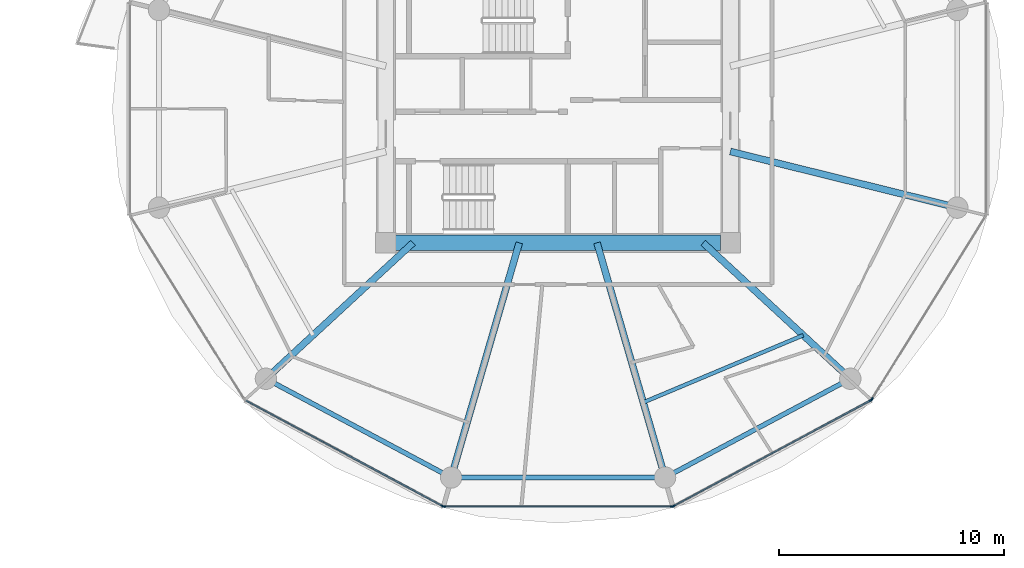
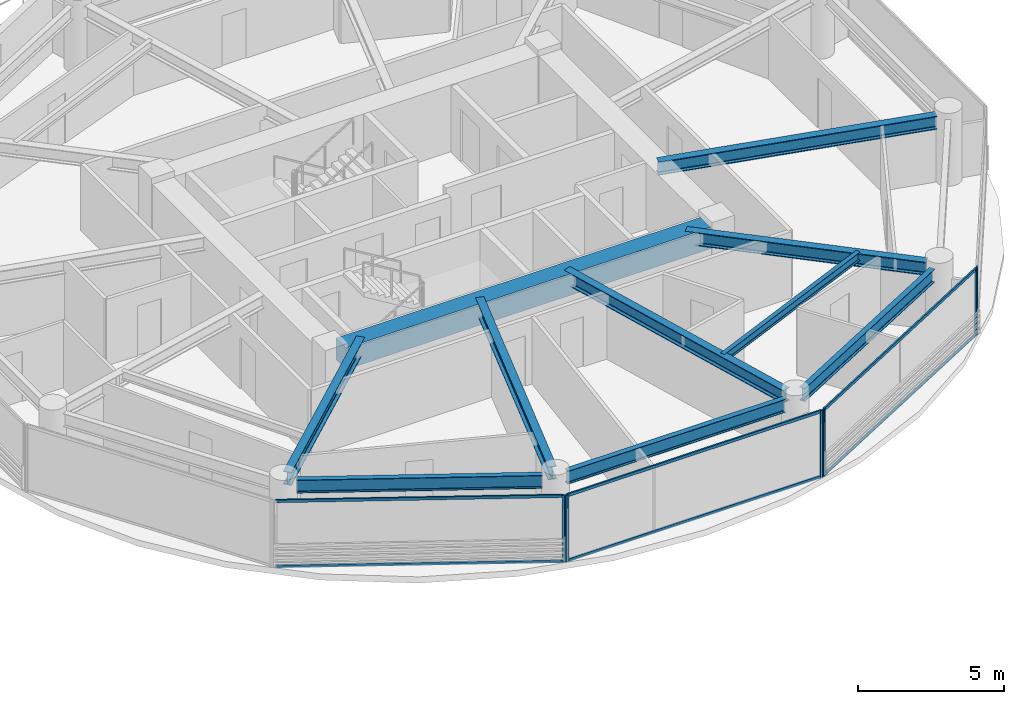
# One storey, part 10 of 26: 12 members, 10 beams, 4 elements without a shape of their own.
"""IFC4 building model written with IfcOpenShell, lengths in metres."""

from ifc_helpers import new_model, si_unit, direction, frame, origin, origin_2d, place, context, subcontext, project, spatial, rectangle, i_section, extrude, source, transform, mapped, material, layer, layer_set, material_profile, profile_set, type_object, type_shapes, element, aggregate, save


model = new_model("IFC4")

# Units and contexts
model_context = context("Model", 3, precision=1e-05, world=origin(), true_north=direction((0.0, 1.0)))
body_context = subcontext(model_context, "Body", "Model", "MODEL_VIEW")
ifc_project = project(units=[si_unit("LENGTHUNIT", "METRE"), si_unit("AREAUNIT", "SQUARE_METRE"), si_unit("VOLUMEUNIT", "CUBIC_METRE"), si_unit("PLANEANGLEUNIT", "RADIAN"), si_unit("MASSUNIT", "GRAM", prefix="KILO")], contexts=[model_context])

# Site, building, storey
site_placement = place(None, origin())
site = spatial("IfcSite", under=ifc_project, at=site_placement, CompositionType="ELEMENT")
building_placement = place(site_placement, origin())
building = spatial("IfcBuilding", under=site, at=building_placement, Name="Norrkilde Senior Care Towers", CompositionType="ELEMENT")
storey_placement = place(building_placement, frame((0.0, 0.0, 64.300048828125)))
storey = spatial("IfcBuildingStorey", under=building, at=storey_placement, Name="L19", CompositionType="ELEMENT", Elevation=64.300048828125)

# Beams
ifc_material_1 = material(Name="Concrete C60/75", Category="concrete")
ifc_material_profile_1 = material_profile(ifc_material_1, rectangle(XDim=0.699951171875, YDim=0.89990234375, at=origin_2d()), Name="RC BM 700x900")
ifc_profile_set_1 = profile_set([ifc_material_profile_1], Name="Concrete C60/75")
beam_type_1 = type_object("IfcBeamType", Name="Core Coupling Girder 700x900", PredefinedType="USERDEFINED", material=ifc_profile_set_1)
shared_shape_1 = source(origin(), body_context, "Body", "SweptSolid", [
    extrude(rectangle(XDim=0.699951171875, YDim=0.89990234375, at=origin_2d()), origin(), (0.0, 0.0, 1.0), 14.43994140625),
])
type_shapes(beam_type_1, [shared_shape_1])
beam_1_placement = place(storey_placement, frame((20.780029296875, -5.949951171875, 2.33984375), z_axis=(1.0, 0.0, 0.0), x_axis=(0.0, 1.0, 0.0)))
element("IfcBeam", 1, at=beam_1_placement, inside=storey, type_object=beam_type_1, Name="L19 Core E S Coupling Girder", ObjectType="GIRDER", PredefinedType="USERDEFINED", context=body_context, shape_type="MappedRepresentation", body=[
    mapped(shared_shape_1, transform((0.0, 0.0, 0.0), x_axis=(1.0, 0.0, 0.0), y_axis=(0.0, 1.0, 0.0), z_axis=(0.0, 0.0, 1.0), scale=1.0)),
])
ifc_material_2 = material(Name="Steel S355", Category="steel")
ifc_material_profile_2 = material_profile(ifc_material_2, i_section(OverallWidth=0.300048828125, OverallDepth=0.550048828125, WebThickness=0.014892578125, FlangeThickness=0.029052734375, FilletRadius=0.027099609375, at=origin_2d()), Name="HEB 550")
ifc_profile_set_2 = profile_set([ifc_material_profile_2], Name="Steel S355")
beam_type_2 = type_object("IfcBeamType", Name="Radial Floor Beam Z1 HEB550", PredefinedType="BEAM", material=ifc_profile_set_2)
shared_shape_2 = source(origin(), body_context, "Body", "SweptSolid", [
    extrude(i_section(OverallWidth=0.300048828125, OverallDepth=0.550048828125, WebThickness=0.014892578125, FlangeThickness=0.029052734375, FilletRadius=0.027099609375, at=origin_2d()), origin(), (0.0, 0.0, 1.0), 9.94384765625),
])
beam_2_placement = place(storey_placement, frame((35.64990234375, -1.893310546875, 2.514892578125), z_axis=(0.970707425182, -0.240264634718, 0.0), x_axis=(0.240264634718, 0.970707425182, 0.0)))
element("IfcBeam", 2, at=beam_2_placement, inside=storey, type_object=beam_type_2, Name="L19 Drum E Radial Floor Beam 12", PredefinedType="BEAM", context=body_context, shape_type="MappedRepresentation", body=[
    mapped(shared_shape_2, transform((0.0, 0.0, 0.0), x_axis=(1.0, 0.0, 0.0), y_axis=(0.0, 1.0, 0.0), z_axis=(0.0, 0.0, 1.0), scale=1.0)),
])
ifc_material_profile_3 = material_profile(ifc_material_2, i_section(OverallWidth=0.2099609375, OverallDepth=0.550048828125, WebThickness=0.010986328125, FlangeThickness=0.01708984375, FilletRadius=0.02392578125, at=origin_2d()), Name="IPE 550")
ifc_profile_set_3 = profile_set([ifc_material_profile_3], Name="Steel S355")
beam_type_3 = type_object("IfcBeamType", Name="Perimeter Ring Spandrel Z1 IPE550", PredefinedType="SPANDREL", material=ifc_profile_set_3)
shared_shape_3 = source(origin(), body_context, "Body", "SweptSolid", [
    extrude(i_section(OverallWidth=0.2099609375, OverallDepth=0.550048828125, WebThickness=0.010986328125, FlangeThickness=0.01708984375, FilletRadius=0.02392578125, at=origin_2d()), origin(), (0.0, 0.0, 1.0), 8.452880859375),
])
for number, where, z_axis, x_axis, name in (
    (3, (15.408447265625, -12.190185546875, 2.514892578125), (0.882368931134, -0.470558252898, 0.0), (0.470558252898, 0.882368931134, 0.0), "L19 Drum E Perimeter Spandrel 08"),
    (4, (33.133056640625, -16.167724609375, 2.514892578125), (0.882368931134, 0.470558252898, 0.0), (-0.470558252898, 0.882368931134, 0.0), "L19 Drum E Perimeter Spandrel 10"),
):
    element("IfcBeam", number, at=place(storey_placement, frame(where, z_axis=z_axis, x_axis=x_axis)), inside=storey, type_object=beam_type_3, Name=name, PredefinedType="SPANDREL", context=body_context, shape_type="MappedRepresentation", body=[
        mapped(shared_shape_3, transform((0.0, 0.0, 0.0), x_axis=(1.0, 0.0, 0.0), y_axis=(0.0, 1.0, 0.0), z_axis=(0.0, 0.0, 1.0), scale=1.0)),
    ])
shared_shape_4 = source(origin(), body_context, "Body", "SweptSolid", [
    extrude(i_section(OverallWidth=0.300048828125, OverallDepth=0.550048828125, WebThickness=0.014892578125, FlangeThickness=0.029052734375, FilletRadius=0.027099609375, at=origin_2d()), origin(), (0.0, 0.0, 1.0), 8.459716796875),
])
for number, where, z_axis, x_axis, name in (
    (5, (21.55859375, -5.949951171875, 2.514892578125), (-0.734573269108, -0.678529374686, 0.0), (0.678529374686, -0.734573269108, 0.0), "L19 Drum E Radial Floor Beam 08"),
    (6, (34.44140625, -5.949951171875, 2.514892578125), (0.734573269108, -0.678529374686, 0.0), (0.678529374686, 0.734573269108, 0.0), "L19 Drum E Radial Floor Beam 11"),
):
    element("IfcBeam", number, at=place(storey_placement, frame(where, z_axis=z_axis, x_axis=x_axis)), inside=storey, type_object=beam_type_2, Name=name, PredefinedType="BEAM", context=body_context, shape_type="MappedRepresentation", body=[
        mapped(shared_shape_4, transform((0.0, 0.0, 0.0), x_axis=(1.0, 0.0, 0.0), y_axis=(0.0, 1.0, 0.0), z_axis=(0.0, 0.0, 1.0), scale=1.0)),
    ])
shared_shape_5 = source(origin(), body_context, "Body", "SweptSolid", [
    extrude(i_section(OverallWidth=0.2099609375, OverallDepth=0.550048828125, WebThickness=0.010986328125, FlangeThickness=0.01708984375, FilletRadius=0.02392578125, at=origin_2d()), origin(), (0.0, 0.0, 1.0), 8.62841796875),
])
type_shapes(beam_type_3, [shared_shape_3, shared_shape_5])
beam_3_placement = place(storey_placement, frame((23.685791015625, -16.37255859375, 2.514892578125), z_axis=(1.0, 0.0, 0.0), x_axis=(0.0, 1.0, 0.0)))
element("IfcBeam", 7, at=beam_3_placement, inside=storey, type_object=beam_type_3, Name="L19 Drum E Perimeter Spandrel 09", PredefinedType="SPANDREL", context=body_context, shape_type="MappedRepresentation", body=[
    mapped(shared_shape_5, transform((0.0, 0.0, 0.0), x_axis=(1.0, 0.0, 0.0), y_axis=(0.0, 1.0, 0.0), z_axis=(0.0, 0.0, 1.0), scale=1.0)),
])
shared_shape_6 = source(origin(), body_context, "Body", "SweptSolid", [
    extrude(i_section(OverallWidth=0.300048828125, OverallDepth=0.550048828125, WebThickness=0.014892578125, FlangeThickness=0.029052734375, FilletRadius=0.027099609375, at=origin_2d()), origin(), (0.0, 0.0, 1.0), 10.4169921875),
])
type_shapes(beam_type_2, [shared_shape_2, shared_shape_4, shared_shape_6])
for number, where, z_axis, x_axis, name in (
    (8, (26.27392578125, -5.949951171875, 2.514892578125), (-0.278591250785, -0.960409764104, 0.0), (0.960409764104, -0.278591250785, 0.0), "L19 Drum E Radial Floor Beam 09"),
    (9, (29.72607421875, -5.949951171875, 2.514892578125), (0.278591250785, -0.960409764104, 0.0), (0.960409764104, 0.278591250785, 0.0), "L19 Drum E Radial Floor Beam 10"),
):
    element("IfcBeam", number, at=place(storey_placement, frame(where, z_axis=z_axis, x_axis=x_axis)), inside=storey, type_object=beam_type_2, Name=name, PredefinedType="BEAM", context=body_context, shape_type="MappedRepresentation", body=[
        mapped(shared_shape_6, transform((0.0, 0.0, 0.0), x_axis=(1.0, 0.0, 0.0), y_axis=(0.0, 1.0, 0.0), z_axis=(0.0, 0.0, 1.0), scale=1.0)),
    ])
ifc_material_profile_4 = material_profile(ifc_material_2, i_section(OverallWidth=0.169921875, OverallDepth=0.360107421875, WebThickness=0.008056640625, FlangeThickness=0.0126953125, FilletRadius=0.01806640625, at=origin_2d()), Name="IPE 360")
ifc_profile_set_4 = profile_set([ifc_material_profile_4], Name="Steel S355")
beam_type_4 = type_object("IfcBeamType", Name="Secondary Floor Joist IPE360", PredefinedType="JOIST", material=ifc_profile_set_4)
shared_shape_7 = source(origin(), body_context, "Body", "SweptSolid", [
    extrude(i_section(OverallWidth=0.169921875, OverallDepth=0.360107421875, WebThickness=0.008056640625, FlangeThickness=0.0126953125, FilletRadius=0.01806640625, at=origin_2d()), origin(), (0.0, 0.0, 1.0), 7.703857421875),
])
type_shapes(beam_type_4, [shared_shape_7])
beam_4_placement = place(storey_placement, frame((31.78173828125, -13.037353515625, 2.60986328125), z_axis=(0.921982784465, 0.387230868023, 0.0), x_axis=(-0.387230868023, 0.921982784465, 0.0)))
element("IfcBeam", 10, at=beam_4_placement, inside=storey, type_object=beam_type_4, Name="L19 Drum E Secondary Floor Joist 4", PredefinedType="JOIST", context=body_context, shape_type="MappedRepresentation", body=[
    mapped(shared_shape_7, transform((0.0, 0.0, 0.0), x_axis=(1.0, 0.0, 0.0), y_axis=(0.0, 1.0, 0.0), z_axis=(0.0, 0.0, 1.0), scale=1.0)),
])

# Curtain wall, member
ifc_material_3 = material(Name="Triple Low-E Insulated Glazing", Category="glass")
ifc_layer = layer(ifc_material_3, 0.199951171875)
ifc_layer_set = layer_set([ifc_layer], Name="Triple Low-E Insulated Glazing")
curtain_wall_type = type_object("IfcCurtainWallType", Name="CW2 Zone 1 Memory Care Curtain Wall", PredefinedType="NOTDEFINED", material=ifc_layer_set)
curtain_wall_1_placement = place(storey_placement, origin())
curtain_wall_1 = element("IfcCurtainWall", 11, at=curtain_wall_1_placement, inside=storey, type_object=curtain_wall_type, Name="L19 Drum E Curtain Wall 07", PredefinedType="NOTDEFINED")
ifc_material_4 = material(Name="Anodised Aluminium", Category="aluminium")
ifc_material_profile_5 = material_profile(ifc_material_4, rectangle(XDim=0.06494140625, YDim=0.159912109375, at=origin_2d()), Name="ALU MULL 65x160")
ifc_profile_set_5 = profile_set([ifc_material_profile_5], Name="Anodised Aluminium")
member_type_1 = type_object("IfcMemberType", Name="Curtain Wall Mullion Z1-Z2 65x160", PredefinedType="MULLION", material=ifc_profile_set_5)
shared_shape_8 = source(origin(), body_context, "Body", "SweptSolid", [
    extrude(rectangle(XDim=0.06494140625, YDim=0.159912109375, at=origin_2d()), origin(), (0.0, 0.0, 1.0), 2.7900390625),
])
type_shapes(member_type_1, [shared_shape_8])
member_1_placement = place(storey_placement, frame((22.877685546875, -17.641845703125, 0.0), z_axis=(0.0, 0.0, 1.0), x_axis=(-0.472607802456, -0.881272866403, 0.0)))
member_1 = element("IfcMember", 12, at=member_1_placement, type_object=member_type_1, Name="CW-2 mullion 1", PredefinedType="MULLION", context=body_context, shape_type="MappedRepresentation", body=[
    mapped(shared_shape_8, transform((0.0, 0.0, 0.0), x_axis=(1.0, 0.0, 0.0), y_axis=(0.0, 1.0, 0.0), z_axis=(0.0, 0.0, 1.0), scale=1.0)),
])

# Curtain wall, members
curtain_wall_2_placement = place(storey_placement, origin())
curtain_wall_2 = element("IfcCurtainWall", 13, at=curtain_wall_2_placement, inside=storey, type_object=curtain_wall_type, Name="L19 Drum E Curtain Wall 08", PredefinedType="NOTDEFINED")
member_2_placement = place(storey_placement, frame((33.06103515625, -17.6572265625, 0.0), z_axis=(0.0, 0.0, 1.0), x_axis=(0.0, -1.0, 0.0)))
member_2 = element("IfcMember", 14, at=member_2_placement, type_object=member_type_1, Name="CW-2 mullion 1", PredefinedType="MULLION", context=body_context, shape_type="MappedRepresentation", body=[
    mapped(shared_shape_8, transform((0.0, 0.0, 0.0), x_axis=(1.0, 0.0, 0.0), y_axis=(0.0, 1.0, 0.0), z_axis=(0.0, 0.0, 1.0), scale=1.0)),
])
member_3_placement = place(storey_placement, frame((22.93896484375, -17.6572265625, 0.0), z_axis=(0.0, 0.0, 1.0), x_axis=(0.0, -1.0, 0.0)))
member_3 = element("IfcMember", 15, at=member_3_placement, type_object=member_type_1, Name="CW-2 mullion 2", PredefinedType="MULLION", context=body_context, shape_type="MappedRepresentation", body=[
    mapped(shared_shape_8, transform((0.0, 0.0, 0.0), x_axis=(1.0, 0.0, 0.0), y_axis=(0.0, 1.0, 0.0), z_axis=(0.0, 0.0, 1.0), scale=1.0)),
])

curtain_wall_3_placement = place(storey_placement, origin())
curtain_wall_3 = element("IfcCurtainWall", 16, at=curtain_wall_3_placement, inside=storey, type_object=curtain_wall_type, Name="L19 Drum E Curtain Wall 09", PredefinedType="NOTDEFINED")
member_4_placement = place(storey_placement, frame((41.88720703125, -12.941162109375, 0.0), z_axis=(0.0, 0.0, 1.0), x_axis=(0.472607802456, -0.881272866403, 0.0)))
member_4 = element("IfcMember", 17, at=member_4_placement, type_object=member_type_1, Name="CW-2 mullion 1", PredefinedType="MULLION", context=body_context, shape_type="MappedRepresentation", body=[
    mapped(shared_shape_8, transform((0.0, 0.0, 0.0), x_axis=(1.0, 0.0, 0.0), y_axis=(0.0, 1.0, 0.0), z_axis=(0.0, 0.0, 1.0), scale=1.0)),
])
member_5_placement = place(storey_placement, frame((33.122314453125, -17.641845703125, 0.0), z_axis=(0.0, 0.0, 1.0), x_axis=(0.472607802456, -0.881272866403, 0.0)))
member_5 = element("IfcMember", 18, at=member_5_placement, type_object=member_type_1, Name="CW-2 mullion 2", PredefinedType="MULLION", context=body_context, shape_type="MappedRepresentation", body=[
    mapped(shared_shape_8, transform((0.0, 0.0, 0.0), x_axis=(1.0, 0.0, 0.0), y_axis=(0.0, 1.0, 0.0), z_axis=(0.0, 0.0, 1.0), scale=1.0)),
])

# Curtain wall, member
curtain_wall_4_placement = place(storey_placement, origin())
curtain_wall_4 = element("IfcCurtainWall", 19, at=curtain_wall_4_placement, inside=storey, type_object=curtain_wall_type, Name="L19 Drum E Curtain Wall 10", PredefinedType="NOTDEFINED")
member_6_placement = place(storey_placement, frame((41.93310546875, -12.898193359375, 0.0), z_axis=(0.0, 0.0, 1.0), x_axis=(0.849305943117, -0.527900951871, 0.0)))
member_6 = element("IfcMember", 20, at=member_6_placement, type_object=member_type_1, Name="CW-2 mullion 2", PredefinedType="MULLION", context=body_context, shape_type="MappedRepresentation", body=[
    mapped(shared_shape_8, transform((0.0, 0.0, 0.0), x_axis=(1.0, 0.0, 0.0), y_axis=(0.0, 1.0, 0.0), z_axis=(0.0, 0.0, 1.0), scale=1.0)),
])
aggregate(curtain_wall_4, [member_6])

# Member
ifc_material_profile_6 = material_profile(ifc_material_4, rectangle(XDim=0.06005859375, YDim=0.1201171875, at=origin_2d()), Name="ALU TRAN 60x120")
ifc_profile_set_6 = profile_set([ifc_material_profile_6], Name="Anodised Aluminium")
member_type_2 = type_object("IfcMemberType", Name="Curtain Wall Transom Typical 60x120", PredefinedType="USERDEFINED", material=ifc_profile_set_6)
shared_shape_9 = source(origin(), body_context, "Body", "SweptSolid", [
    extrude(rectangle(XDim=0.06005859375, YDim=0.1201171875, at=origin_2d()), origin(), (0.0, 0.0, 1.0), 9.880859375),
])
member_7_placement = place(storey_placement, frame((22.84912109375, -17.62646484375, 0.030029296875), z_axis=(-0.881267204043, 0.47261836092, 0.0), x_axis=(-0.47261836092, -0.881267204043, 0.0)))
member_7 = element("IfcMember", 21, at=member_7_placement, type_object=member_type_2, Name="CW-2 transom 1.1", ObjectType="TRANSOM", PredefinedType="USERDEFINED", context=body_context, shape_type="MappedRepresentation", body=[
    mapped(shared_shape_9, transform((0.0, 0.0, 0.0), x_axis=(1.0, 0.0, 0.0), y_axis=(0.0, 1.0, 0.0), z_axis=(0.0, 0.0, 1.0), scale=1.0)),
])

member_8_placement = place(storey_placement, frame((22.84912109375, -17.62646484375, 2.760009765625), z_axis=(-0.881267204043, 0.47261836092, 0.0), x_axis=(-0.47261836092, -0.881267204043, 0.0)))
member_8 = element("IfcMember", 22, at=member_8_placement, type_object=member_type_2, Name="CW-2 transom 1.2", ObjectType="TRANSOM", PredefinedType="USERDEFINED", context=body_context, shape_type="MappedRepresentation", body=[
    mapped(shared_shape_9, transform((0.0, 0.0, 0.0), x_axis=(1.0, 0.0, 0.0), y_axis=(0.0, 1.0, 0.0), z_axis=(0.0, 0.0, 1.0), scale=1.0)),
])

aggregate(curtain_wall_1, [member_1, member_7, member_8])

member_9_placement = place(storey_placement, frame((41.858642578125, -12.95654296875, 0.030029296875), z_axis=(-0.881267204043, -0.47261836092, 0.0), x_axis=(0.47261836092, -0.881267204043, 0.0)))
member_9 = element("IfcMember", 23, at=member_9_placement, type_object=member_type_2, Name="CW-2 transom 1.1", ObjectType="TRANSOM", PredefinedType="USERDEFINED", context=body_context, shape_type="MappedRepresentation", body=[
    mapped(shared_shape_9, transform((0.0, 0.0, 0.0), x_axis=(1.0, 0.0, 0.0), y_axis=(0.0, 1.0, 0.0), z_axis=(0.0, 0.0, 1.0), scale=1.0)),
])

member_10_placement = place(storey_placement, frame((41.858642578125, -12.95654296875, 2.760009765625), z_axis=(-0.881267204043, -0.47261836092, 0.0), x_axis=(0.47261836092, -0.881267204043, 0.0)))
member_10 = element("IfcMember", 24, at=member_10_placement, type_object=member_type_2, Name="CW-2 transom 1.2", ObjectType="TRANSOM", PredefinedType="USERDEFINED", context=body_context, shape_type="MappedRepresentation", body=[
    mapped(shared_shape_9, transform((0.0, 0.0, 0.0), x_axis=(1.0, 0.0, 0.0), y_axis=(0.0, 1.0, 0.0), z_axis=(0.0, 0.0, 1.0), scale=1.0)),
])

aggregate(curtain_wall_3, [member_4, member_5, member_9, member_10])

shared_shape_10 = source(origin(), body_context, "Body", "SweptSolid", [
    extrude(rectangle(XDim=0.06005859375, YDim=0.1201171875, at=origin_2d()), origin(), (0.0, 0.0, 1.0), 10.05712890625),
])
type_shapes(member_type_2, [shared_shape_9, shared_shape_10])
member_11_placement = place(storey_placement, frame((33.028564453125, -17.6572265625, 0.030029296875), z_axis=(-1.0, 0.0, 0.0), x_axis=(0.0, -1.0, 0.0)))
member_11 = element("IfcMember", 25, at=member_11_placement, type_object=member_type_2, Name="CW-2 transom 1.1", ObjectType="TRANSOM", PredefinedType="USERDEFINED", context=body_context, shape_type="MappedRepresentation", body=[
    mapped(shared_shape_10, transform((0.0, 0.0, 0.0), x_axis=(1.0, 0.0, 0.0), y_axis=(0.0, 1.0, 0.0), z_axis=(0.0, 0.0, 1.0), scale=1.0)),
])

member_12_placement = place(storey_placement, frame((33.028564453125, -17.6572265625, 2.760009765625), z_axis=(-1.0, 0.0, 0.0), x_axis=(0.0, -1.0, 0.0)))
member_12 = element("IfcMember", 26, at=member_12_placement, type_object=member_type_2, Name="CW-2 transom 1.2", ObjectType="TRANSOM", PredefinedType="USERDEFINED", context=body_context, shape_type="MappedRepresentation", body=[
    mapped(shared_shape_10, transform((0.0, 0.0, 0.0), x_axis=(1.0, 0.0, 0.0), y_axis=(0.0, 1.0, 0.0), z_axis=(0.0, 0.0, 1.0), scale=1.0)),
])

aggregate(curtain_wall_2, [member_2, member_3, member_11, member_12])

save(model, "model.ifc")
